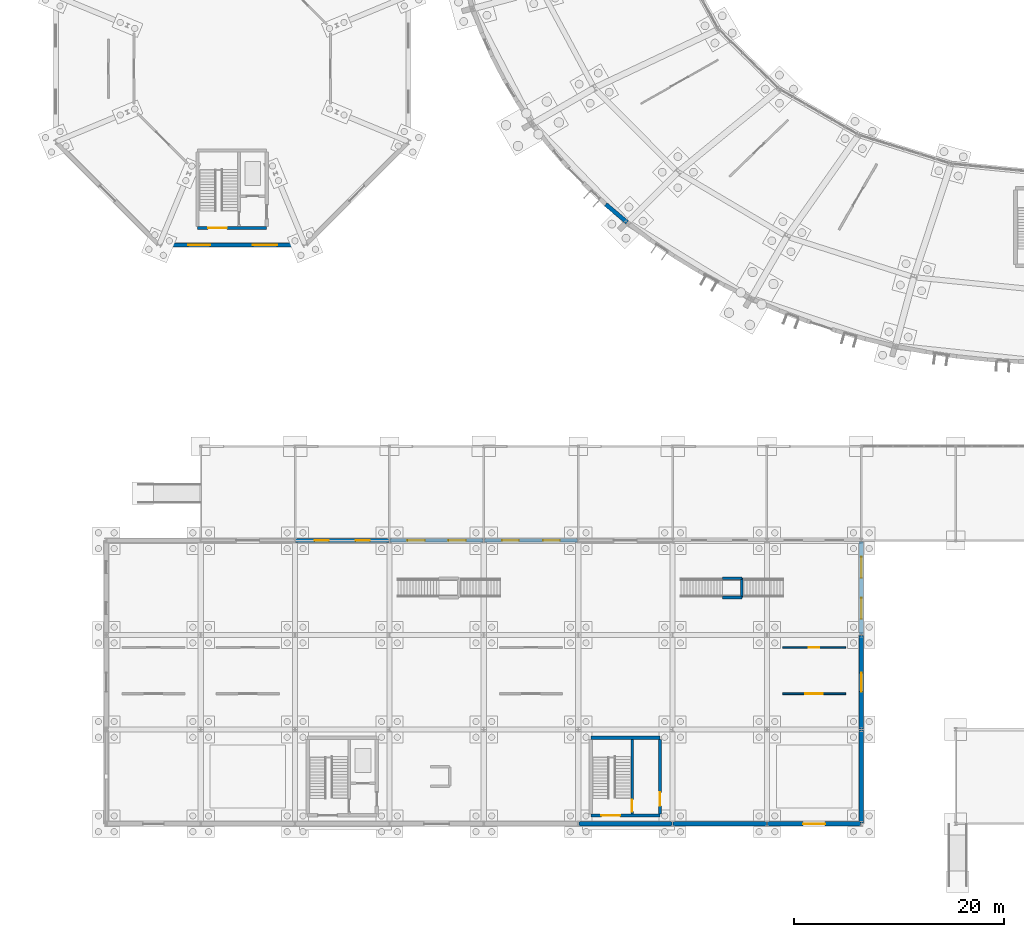
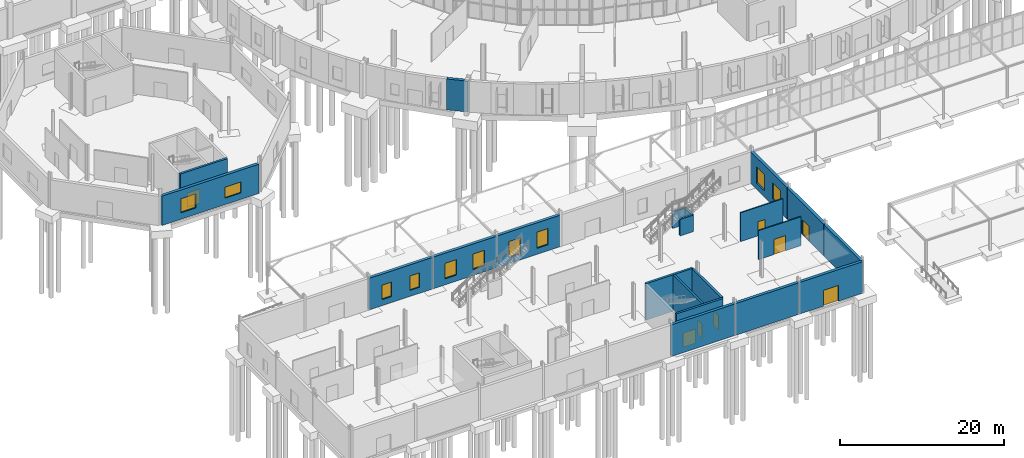
# One storey, part 83 of 118: 21 walls, 10 windows, 8 doors, 18 openings.
"""IFC4 building model written with IfcOpenShell, lengths in metres."""

from ifc_helpers import new_model, si_unit, direction, frame, frame_2d, origin, place, context, subcontext, project, spatial, rectangle, extrude, material, layer, layer_set, type_object, element, fill, save


model = new_model("IFC4")

# Units and contexts
model_context = context("Model", 3, precision=1e-05, world=origin(), true_north=direction((0.0, 1.0)))
body_context = subcontext(model_context, "Body", "Model", "MODEL_VIEW")
ifc_project = project(units=[si_unit("LENGTHUNIT", "METRE"), si_unit("AREAUNIT", "SQUARE_METRE"), si_unit("VOLUMEUNIT", "CUBIC_METRE"), si_unit("PLANEANGLEUNIT", "RADIAN"), si_unit("MASSUNIT", "GRAM", prefix="KILO")], contexts=[model_context])

# Site, building, storey
site_placement = place(None, origin())
site = spatial("IfcSite", under=ifc_project, at=site_placement, CompositionType="ELEMENT")
building_placement = place(site_placement, origin())
building = spatial("IfcBuilding", under=site, at=building_placement, Name="Kildeholm Park Wholesale Market", CompositionType="ELEMENT")
storey_placement = place(building_placement, origin())
storey = spatial("IfcBuildingStorey", under=building, at=storey_placement, Name="L00", CompositionType="ELEMENT", Elevation=0.0)

# Wall
ifc_material_1 = material(Name="Bornholm granite stone plinth and Concrete C35/45 wall", Category="masonry")
ifc_layer_1 = layer(ifc_material_1, 0.39990234375)
ifc_layer_set_1 = layer_set([ifc_layer_1], Name="Bornholm granite stone plinth and Concrete C35/45 wall")
wall_type_1 = type_object("IfcWallType", Name="Exterior wall W-EX2 400 mm", PredefinedType="SOLIDWALL", material=ifc_layer_set_1)
wall_1_placement = place(storey_placement, frame((56.6220703125, 59.071044921875, 0.0), z_axis=(0.0, 0.0, 1.0), x_axis=(0.76486611794, -0.644189274691, 0.0)))
element("IfcWall", 1, at=wall_1_placement, inside=storey, type_object=wall_type_1, Name="Produce ring outer wall 15.5 WL-0121", PredefinedType="SOLIDWALL", context=body_context, shape_type="SweptSolid", body=[
    extrude(rectangle(XDim=2.66845703125, YDim=0.39990234375, at=frame_2d((1.334228515625, 0.0))), origin(), (0.0, 0.0, 1.0), 4.60009765625),
])

# Wall, openings, windows
wall_2_placement = place(storey_placement, frame((14.175048828125, 55.18505859375, 0.0), z_axis=(0.0, 0.0, 1.0), x_axis=(1.0, 0.0, 0.0)))
wall_2 = element("IfcWall", 2, at=wall_2_placement, inside=storey, type_object=wall_type_1, Name="Auction pavilion facet wall 6 WL-0314", PredefinedType="SOLIDWALL", context=body_context, shape_type="SweptSolid", body=[
    extrude(rectangle(XDim=13.64990234375, YDim=0.39990234375, at=frame_2d((6.824951171875, 0.0))), origin(), (0.0, 0.0, 1.0), 4.35009765625),
])
opening_1_placement = place(wall_2_placement, frame((2.635009765625, 0.0, 0.949951171875)))
opening_1 = element("IfcOpeningElement", 3, at=opening_1_placement, cuts=wall_2, Name="Opening WN-03", PredefinedType="OPENING", context=body_context, shape_type="SweptSolid", body=[
    extrude(rectangle(XDim=2.10009765625, YDim=2.10009765625, at=frame_2d((1.050048828125, 1.050048828125))), frame((0.0, 0.2099609375, 0.0), z_axis=(0.0, -1.0, 0.0), x_axis=(1.0, 0.0, 0.0)), (0.0, 0.0, 1.0), 0.419921875),
])
opening_2_placement = place(wall_2_placement, frame((8.81396484375, 0.0, 0.949951171875)))
opening_2 = element("IfcOpeningElement", 4, at=opening_2_placement, cuts=wall_2, Name="Opening WN-23", PredefinedType="OPENING", context=body_context, shape_type="SweptSolid", body=[
    extrude(rectangle(XDim=2.300048828125, YDim=1.64990234375, at=frame_2d((1.14990234375, 0.824951171875))), frame((0.0, 0.2099609375, 0.0), z_axis=(0.0, -1.0, 0.0), x_axis=(1.0, 0.0, 0.0)), (0.0, 0.0, 1.0), 0.419921875),
])
ifc_material_2 = material(Name="Thermally broken aluminium and triple-glazed low-E glass", Category="aluminium")
window_type_1 = type_object("IfcWindowType", Name="Window WN-03 2100x2100", PartitioningType="TRIPLE_PANEL_VERTICAL", PredefinedType="WINDOW", material=ifc_material_2)
window_1_placement = place(opening_1_placement, origin())
window_1 = element("IfcWindow", 5, at=window_1_placement, inside=storey, type_object=window_type_1, Name="Auction facet window 6A WIN-0095", OverallHeight=2.10009765625, OverallWidth=2.10009765625, PartitioningType="SINGLE_PANEL", PredefinedType="WINDOW", context=body_context, shape_type="SweptSolid", body=[
    extrude(rectangle(XDim=2.10009765625, YDim=2.10009765625, at=frame_2d((1.050048828125, 1.050048828125))), frame((0.0, 0.030029296875, 0.0), z_axis=(0.0, -1.0, 0.0), x_axis=(1.0, 0.0, 0.0)), (0.0, 0.0, 1.0), 0.06005859375),
])
fill(opening_1, window_1)
window_type_2 = type_object("IfcWindowType", Name="Window WN-23 2300x1650", PartitioningType="TRIPLE_PANEL_VERTICAL", PredefinedType="WINDOW", material=ifc_material_2)
window_2_placement = place(opening_2_placement, origin())
window_2 = element("IfcWindow", 6, at=window_2_placement, inside=storey, type_object=window_type_2, Name="Auction facet window 6B WIN-0096", OverallHeight=1.64990234375, OverallWidth=2.300048828125, PartitioningType="SINGLE_PANEL", PredefinedType="WINDOW", context=body_context, shape_type="SweptSolid", body=[
    extrude(rectangle(XDim=2.300048828125, YDim=1.64990234375, at=frame_2d((1.14990234375, 0.824951171875))), frame((0.0, 0.030029296875, 0.0), z_axis=(0.0, -1.0, 0.0), x_axis=(1.0, 0.0, 0.0)), (0.0, 0.0, 1.0), 0.06005859375),
])
fill(opening_2, window_2)

# Walls
for number, where, z_axis, x_axis, name in (
    (7, (54.06005859375, 0.0, 0.0), (0.0, 0.0, 1.0), (1.0, 0.0, 0.0), "Exterior wall V5W-L00-S06.1 WL-0500"),
    (8, (63.06005859375, 0.0, 0.0), (0.0, 0.0, 1.0), (1.0, 0.0, 0.0), "Exterior wall V5W-L00-S07.1 WL-0501"),
):
    element("IfcWall", number, at=place(storey_placement, frame(where, z_axis=z_axis, x_axis=x_axis)), inside=storey, type_object=wall_type_1, Name=name, PredefinedType="SOLIDWALL", context=body_context, shape_type="SweptSolid", body=[
        extrude(rectangle(XDim=8.8798828125, YDim=0.39990234375, at=frame_2d((4.43994140625, 0.0))), origin(), (0.0, 0.0, 1.0), 4.699951171875),
    ])

# Wall, opening, door
wall_3_placement = place(storey_placement, frame((72.06005859375, 0.0, 0.0), z_axis=(0.0, 0.0, 1.0), x_axis=(1.0, 0.0, 0.0)))
wall_3 = element("IfcWall", 9, at=wall_3_placement, inside=storey, type_object=wall_type_1, Name="Exterior wall V5W-L00-S08.1 WL-0502", PredefinedType="SOLIDWALL", context=body_context, shape_type="SweptSolid", body=[
    extrude(rectangle(XDim=8.8798828125, YDim=0.39990234375, at=frame_2d((4.43994140625, 0.0))), origin(), (0.0, 0.0, 1.0), 4.699951171875),
])
opening_3_placement = place(wall_3_placement, frame((3.389892578125, 0.0, 0.0)))
opening_3 = element("IfcOpeningElement", 10, at=opening_3_placement, cuts=wall_3, Name="Opening D-EX10", PredefinedType="OPENING", context=body_context, shape_type="SweptSolid", body=[
    extrude(rectangle(XDim=2.10009765625, YDim=2.35009765625, at=frame_2d((1.050048828125, 1.175048828125))), frame((0.0, 0.2099609375, 0.0), z_axis=(0.0, -1.0, 0.0), x_axis=(1.0, 0.0, 0.0)), (0.0, 0.0, 1.0), 0.419921875),
])
ifc_material_3 = material(Name="Anodised aluminium park colonnade door", Category="aluminium")
door_type_1 = type_object("IfcDoorType", Name="Exterior door D-EX10 2100x2350", OperationType="NOTDEFINED", PredefinedType="DOOR", material=ifc_material_3)
door_1_placement = place(opening_3_placement, frame((2.10009765625, 0.0, 0.0), z_axis=(0.0, 0.0, 1.0), x_axis=(-1.0, 0.0, 0.0)))
door_1 = element("IfcDoor", 11, at=door_1_placement, inside=storey, type_object=door_type_1, Name="Door V5W-L00-S08.1 DR-0052 WL-0502", OperationType="DOUBLE_DOOR_SINGLE_SWING", OverallHeight=2.35009765625, OverallWidth=2.10009765625, PredefinedType="DOOR", context=body_context, shape_type="SweptSolid", body=[
    extrude(rectangle(XDim=2.10009765625, YDim=2.35009765625, at=frame_2d((1.050048828125, 1.175048828125))), frame((0.0, 0.02490234375, 0.0), z_axis=(0.0, -1.0, 0.0), x_axis=(1.0, 0.0, 0.0)), (0.0, 0.0, 1.0), 0.050048828125),
])
fill(opening_3, door_1)

# Wall, openings, windows
wall_4_placement = place(storey_placement, frame((27.06005859375, 27.0, 0.0), z_axis=(0.0, 0.0, 1.0), x_axis=(1.0, 0.0, 0.0)))
wall_4 = element("IfcWall", 12, at=wall_4_placement, inside=storey, type_object=wall_type_1, Name="Exterior wall V5W-L00-N.3 WL-0505", PredefinedType="SOLIDWALL", context=body_context, shape_type="SweptSolid", body=[
    extrude(rectangle(XDim=8.8798828125, YDim=0.39990234375, at=frame_2d((4.43994140625, 0.0))), origin(), (0.0, 0.0, 1.0), 4.699951171875),
])
opening_4_placement = place(wall_4_placement, frame((1.81103515625, 0.0, 0.89990234375)))
opening_4 = element("IfcOpeningElement", 13, at=opening_4_placement, cuts=wall_4, Name="Opening WN-33", PredefinedType="OPENING", context=body_context, shape_type="SweptSolid", body=[
    extrude(rectangle(XDim=1.35009765625, YDim=2.14990234375, at=frame_2d((0.675048828125, 1.074951171875))), frame((0.0, 0.2099609375, 0.0), z_axis=(0.0, -1.0, 0.0), x_axis=(1.0, 0.0, 0.0)), (0.0, 0.0, 1.0), 0.419921875),
])
opening_5_placement = place(wall_4_placement, frame((5.718994140625, 0.0, 0.89990234375)))
opening_5 = element("IfcOpeningElement", 14, at=opening_5_placement, cuts=wall_4, Name="Opening WN-33", PredefinedType="OPENING", context=body_context, shape_type="SweptSolid", body=[
    extrude(rectangle(XDim=1.35009765625, YDim=2.14990234375, at=frame_2d((0.675048828125, 1.074951171875))), frame((0.0, 0.2099609375, 0.0), z_axis=(0.0, -1.0, 0.0), x_axis=(1.0, 0.0, 0.0)), (0.0, 0.0, 1.0), 0.419921875),
])
window_type_3 = type_object("IfcWindowType", Name="Window WN-33 1350x2150", PartitioningType="DOUBLE_PANEL_VERTICAL", PredefinedType="WINDOW", material=ifc_material_2)
window_3_placement = place(opening_4_placement, origin())
window_3 = element("IfcWindow", 15, at=window_3_placement, inside=storey, type_object=window_type_3, Name="Window V5W-L00-N.3.1 WIN-0289", OverallHeight=2.14990234375, OverallWidth=1.35009765625, PartitioningType="SINGLE_PANEL", PredefinedType="WINDOW", context=body_context, shape_type="SweptSolid", body=[
    extrude(rectangle(XDim=1.35009765625, YDim=2.14990234375, at=frame_2d((0.675048828125, 1.074951171875))), frame((0.0, 0.030029296875, 0.0), z_axis=(0.0, -1.0, 0.0), x_axis=(1.0, 0.0, 0.0)), (0.0, 0.0, 1.0), 0.06005859375),
])
fill(opening_4, window_3)
window_4_placement = place(opening_5_placement, origin())
window_4 = element("IfcWindow", 16, at=window_4_placement, inside=storey, type_object=window_type_3, Name="Window V5W-L00-N.3.2 WIN-0290", OverallHeight=2.14990234375, OverallWidth=1.35009765625, PartitioningType="SINGLE_PANEL", PredefinedType="WINDOW", context=body_context, shape_type="SweptSolid", body=[
    extrude(rectangle(XDim=1.35009765625, YDim=2.14990234375, at=frame_2d((0.675048828125, 1.074951171875))), frame((0.0, 0.030029296875, 0.0), z_axis=(0.0, -1.0, 0.0), x_axis=(1.0, 0.0, 0.0)), (0.0, 0.0, 1.0), 0.06005859375),
])
fill(opening_5, window_4)

wall_5_placement = place(storey_placement, frame((36.06005859375, 27.0, 0.0), z_axis=(0.0, 0.0, 1.0), x_axis=(1.0, 0.0, 0.0)))
wall_5 = element("IfcWall", 17, at=wall_5_placement, inside=storey, type_object=wall_type_1, Name="Exterior wall V5W-L00-N.4 WL-0506", PredefinedType="SOLIDWALL", context=body_context, shape_type="SweptSolid", body=[
    extrude(rectangle(XDim=8.8798828125, YDim=0.39990234375, at=frame_2d((4.43994140625, 0.0))), origin(), (0.0, 0.0, 1.0), 4.699951171875),
])
opening_6_placement = place(wall_5_placement, frame((1.660888671875, 0.0, 0.89990234375)))
opening_6 = element("IfcOpeningElement", 18, at=opening_6_placement, cuts=wall_5, Name="Opening WN-34", PredefinedType="OPENING", context=body_context, shape_type="SweptSolid", body=[
    extrude(rectangle(XDim=1.64990234375, YDim=2.300048828125, at=frame_2d((0.824951171875, 1.14990234375))), frame((0.0, 0.2099609375, 0.0), z_axis=(0.0, -1.0, 0.0), x_axis=(1.0, 0.0, 0.0)), (0.0, 0.0, 1.0), 0.419921875),
])
opening_7_placement = place(wall_5_placement, frame((5.569091796875, 0.0, 0.89990234375)))
opening_7 = element("IfcOpeningElement", 19, at=opening_7_placement, cuts=wall_5, Name="Opening WN-34", PredefinedType="OPENING", context=body_context, shape_type="SweptSolid", body=[
    extrude(rectangle(XDim=1.64990234375, YDim=2.300048828125, at=frame_2d((0.824951171875, 1.14990234375))), frame((0.0, 0.2099609375, 0.0), z_axis=(0.0, -1.0, 0.0), x_axis=(1.0, 0.0, 0.0)), (0.0, 0.0, 1.0), 0.419921875),
])
window_type_4 = type_object("IfcWindowType", Name="Window WN-34 1650x2300", PartitioningType="DOUBLE_PANEL_VERTICAL", PredefinedType="WINDOW", material=ifc_material_2)
window_5_placement = place(opening_6_placement, origin())
window_5 = element("IfcWindow", 20, at=window_5_placement, inside=storey, type_object=window_type_4, Name="Window V5W-L00-N.4.1 WIN-0291", OverallHeight=2.300048828125, OverallWidth=1.64990234375, PartitioningType="SINGLE_PANEL", PredefinedType="WINDOW", context=body_context, shape_type="SweptSolid", body=[
    extrude(rectangle(XDim=1.64990234375, YDim=2.300048828125, at=frame_2d((0.824951171875, 1.14990234375))), frame((0.0, 0.030029296875, 0.0), z_axis=(0.0, -1.0, 0.0), x_axis=(1.0, 0.0, 0.0)), (0.0, 0.0, 1.0), 0.06005859375),
])
fill(opening_6, window_5)
window_6_placement = place(opening_7_placement, origin())
window_6 = element("IfcWindow", 21, at=window_6_placement, inside=storey, type_object=window_type_4, Name="Window V5W-L00-N.4.2 WIN-0292", OverallHeight=2.300048828125, OverallWidth=1.64990234375, PartitioningType="SINGLE_PANEL", PredefinedType="WINDOW", context=body_context, shape_type="SweptSolid", body=[
    extrude(rectangle(XDim=1.64990234375, YDim=2.300048828125, at=frame_2d((0.824951171875, 1.14990234375))), frame((0.0, 0.030029296875, 0.0), z_axis=(0.0, -1.0, 0.0), x_axis=(1.0, 0.0, 0.0)), (0.0, 0.0, 1.0), 0.06005859375),
])
fill(opening_7, window_6)

wall_6_placement = place(storey_placement, frame((45.06005859375, 27.0, 0.0), z_axis=(0.0, 0.0, 1.0), x_axis=(1.0, 0.0, 0.0)))
wall_6 = element("IfcWall", 22, at=wall_6_placement, inside=storey, type_object=wall_type_1, Name="Exterior wall V5W-L00-N.5 WL-0507", PredefinedType="SOLIDWALL", context=body_context, shape_type="SweptSolid", body=[
    extrude(rectangle(XDim=8.8798828125, YDim=0.39990234375, at=frame_2d((4.43994140625, 0.0))), origin(), (0.0, 0.0, 1.0), 4.699951171875),
])
opening_8_placement = place(wall_6_placement, frame((1.68603515625, 0.0, 0.89990234375)))
opening_8 = element("IfcOpeningElement", 23, at=opening_8_placement, cuts=wall_6, Name="Opening WN-15", PredefinedType="OPENING", context=body_context, shape_type="SweptSolid", body=[
    extrude(rectangle(XDim=1.60009765625, YDim=2.39990234375, at=frame_2d((0.800048828125, 1.199951171875))), frame((0.0, 0.2099609375, 0.0), z_axis=(0.0, -1.0, 0.0), x_axis=(1.0, 0.0, 0.0)), (0.0, 0.0, 1.0), 0.419921875),
])
opening_9_placement = place(wall_6_placement, frame((5.593994140625, 0.0, 0.89990234375)))
opening_9 = element("IfcOpeningElement", 24, at=opening_9_placement, cuts=wall_6, Name="Opening WN-15", PredefinedType="OPENING", context=body_context, shape_type="SweptSolid", body=[
    extrude(rectangle(XDim=1.60009765625, YDim=2.39990234375, at=frame_2d((0.800048828125, 1.199951171875))), frame((0.0, 0.2099609375, 0.0), z_axis=(0.0, -1.0, 0.0), x_axis=(1.0, 0.0, 0.0)), (0.0, 0.0, 1.0), 0.419921875),
])
window_type_5 = type_object("IfcWindowType", Name="Window WN-15 1600x2400", PartitioningType="DOUBLE_PANEL_VERTICAL", PredefinedType="WINDOW", material=ifc_material_2)
window_7_placement = place(opening_8_placement, origin())
window_7 = element("IfcWindow", 25, at=window_7_placement, inside=storey, type_object=window_type_5, Name="Window V5W-L00-N.5.1 WIN-0293", OverallHeight=2.39990234375, OverallWidth=1.60009765625, PartitioningType="SINGLE_PANEL", PredefinedType="WINDOW", context=body_context, shape_type="SweptSolid", body=[
    extrude(rectangle(XDim=1.60009765625, YDim=2.39990234375, at=frame_2d((0.800048828125, 1.199951171875))), frame((0.0, 0.030029296875, 0.0), z_axis=(0.0, -1.0, 0.0), x_axis=(1.0, 0.0, 0.0)), (0.0, 0.0, 1.0), 0.06005859375),
])
fill(opening_8, window_7)
window_8_placement = place(opening_9_placement, origin())
window_8 = element("IfcWindow", 26, at=window_8_placement, inside=storey, type_object=window_type_5, Name="Window V5W-L00-N.5.2 WIN-0294", OverallHeight=2.39990234375, OverallWidth=1.60009765625, PartitioningType="SINGLE_PANEL", PredefinedType="WINDOW", context=body_context, shape_type="SweptSolid", body=[
    extrude(rectangle(XDim=1.60009765625, YDim=2.39990234375, at=frame_2d((0.800048828125, 1.199951171875))), frame((0.0, 0.030029296875, 0.0), z_axis=(0.0, -1.0, 0.0), x_axis=(1.0, 0.0, 0.0)), (0.0, 0.0, 1.0), 0.06005859375),
])
fill(opening_9, window_8)

# Wall
wall_7_placement = place(storey_placement, frame((81.0, 0.06005859375, 0.0), z_axis=(0.0, 0.0, 1.0), x_axis=(0.0, 1.0, 0.0)))
element("IfcWall", 27, at=wall_7_placement, inside=storey, type_object=wall_type_1, Name="Exterior wall V5W-L00-E.1 WL-0514", PredefinedType="SOLIDWALL", context=body_context, shape_type="SweptSolid", body=[
    extrude(rectangle(XDim=8.8798828125, YDim=0.39990234375, at=frame_2d((4.43994140625, 0.0))), origin(), (0.0, 0.0, 1.0), 4.699951171875),
])

# Wall, opening, door
wall_8_placement = place(storey_placement, frame((81.0, 9.06005859375, 0.0), z_axis=(0.0, 0.0, 1.0), x_axis=(0.0, 1.0, 0.0)))
wall_8 = element("IfcWall", 28, at=wall_8_placement, inside=storey, type_object=wall_type_1, Name="Exterior wall V5W-L00-E.2 WL-0515", PredefinedType="SOLIDWALL", context=body_context, shape_type="SweptSolid", body=[
    extrude(rectangle(XDim=8.8798828125, YDim=0.39990234375, at=frame_2d((4.43994140625, 0.0))), origin(), (0.0, 0.0, 1.0), 4.699951171875),
])
opening_10_placement = place(wall_8_placement, frame((3.5400390625, 0.0, 0.0)))
opening_10 = element("IfcOpeningElement", 29, at=opening_10_placement, cuts=wall_8, Name="Opening D-EX01", PredefinedType="OPENING", context=body_context, shape_type="SweptSolid", body=[
    extrude(rectangle(XDim=1.800048828125, YDim=2.199951171875, at=frame_2d((0.89990234375, 1.10009765625))), frame((0.0, 0.2099609375, 0.0), z_axis=(0.0, -1.0, 0.0), x_axis=(1.0, 0.0, 0.0)), (0.0, 0.0, 1.0), 0.419921875),
])
ifc_material_4 = material(Name="Anodised aluminium and safety glass", Category="aluminium")
door_type_2 = type_object("IfcDoorType", Name="Exterior door D-EX01 1800x2200", OperationType="NOTDEFINED", PredefinedType="DOOR", material=ifc_material_4)
door_2_placement = place(opening_10_placement, frame((1.800048828125, 0.0, 0.0), z_axis=(0.0, 0.0, 1.0), x_axis=(-1.0, 0.0, 0.0)))
door_2 = element("IfcDoor", 30, at=door_2_placement, inside=storey, type_object=door_type_2, Name="Door V5W-L00-E.2 DR-0056 WL-0515", OperationType="DOUBLE_DOOR_SINGLE_SWING", OverallHeight=2.199951171875, OverallWidth=1.800048828125, PredefinedType="DOOR", context=body_context, shape_type="SweptSolid", body=[
    extrude(rectangle(XDim=1.800048828125, YDim=2.199951171875, at=frame_2d((0.89990234375, 1.10009765625))), frame((0.0, 0.02490234375, 0.0), z_axis=(0.0, -1.0, 0.0), x_axis=(1.0, 0.0, 0.0)), (0.0, 0.0, 1.0), 0.050048828125),
])
fill(opening_10, door_2)

# Wall, openings, windows
wall_9_placement = place(storey_placement, frame((81.0, 18.06005859375, 0.0), z_axis=(0.0, 0.0, 1.0), x_axis=(0.0, 1.0, 0.0)))
wall_9 = element("IfcWall", 31, at=wall_9_placement, inside=storey, type_object=wall_type_1, Name="Exterior wall V5W-L00-E.3 WL-0516", PredefinedType="SOLIDWALL", context=body_context, shape_type="SweptSolid", body=[
    extrude(rectangle(XDim=8.8798828125, YDim=0.39990234375, at=frame_2d((4.43994140625, 0.0))), origin(), (0.0, 0.0, 1.0), 4.699951171875),
])
opening_11_placement = place(wall_9_placement, frame((1.486083984375, 0.0, 0.89990234375)))
opening_11 = element("IfcOpeningElement", 32, at=opening_11_placement, cuts=wall_9, Name="Opening WN-16", PredefinedType="OPENING", context=body_context, shape_type="SweptSolid", body=[
    extrude(rectangle(XDim=2.0, YDim=2.39990234375, at=frame_2d((1.0, 1.199951171875))), frame((0.0, 0.2099609375, 0.0), z_axis=(0.0, -1.0, 0.0), x_axis=(1.0, 0.0, 0.0)), (0.0, 0.0, 1.0), 0.419921875),
])
opening_12_placement = place(wall_9_placement, frame((5.39404296875, 0.0, 0.89990234375)))
opening_12 = element("IfcOpeningElement", 33, at=opening_12_placement, cuts=wall_9, Name="Opening WN-16", PredefinedType="OPENING", context=body_context, shape_type="SweptSolid", body=[
    extrude(rectangle(XDim=2.0, YDim=2.39990234375, at=frame_2d((1.0, 1.199951171875))), frame((0.0, 0.2099609375, 0.0), z_axis=(0.0, -1.0, 0.0), x_axis=(1.0, 0.0, 0.0)), (0.0, 0.0, 1.0), 0.419921875),
])
window_type_6 = type_object("IfcWindowType", Name="Window WN-16 2000x2400", PartitioningType="TRIPLE_PANEL_VERTICAL", PredefinedType="WINDOW", material=ifc_material_2)
window_9_placement = place(opening_11_placement, origin())
window_9 = element("IfcWindow", 34, at=window_9_placement, inside=storey, type_object=window_type_6, Name="Window V5W-L00-E.3.1 WIN-0301", OverallHeight=2.39990234375, OverallWidth=2.0, PartitioningType="SINGLE_PANEL", PredefinedType="WINDOW", context=body_context, shape_type="SweptSolid", body=[
    extrude(rectangle(XDim=2.0, YDim=2.39990234375, at=frame_2d((1.0, 1.199951171875))), frame((0.0, 0.030029296875, 0.0), z_axis=(0.0, -1.0, 0.0), x_axis=(1.0, 0.0, 0.0)), (0.0, 0.0, 1.0), 0.06005859375),
])
fill(opening_11, window_9)
window_10_placement = place(opening_12_placement, origin())
window_10 = element("IfcWindow", 35, at=window_10_placement, inside=storey, type_object=window_type_6, Name="Window V5W-L00-E.3.2 WIN-0302", OverallHeight=2.39990234375, OverallWidth=2.0, PartitioningType="SINGLE_PANEL", PredefinedType="WINDOW", context=body_context, shape_type="SweptSolid", body=[
    extrude(rectangle(XDim=2.0, YDim=2.39990234375, at=frame_2d((1.0, 1.199951171875))), frame((0.0, 0.030029296875, 0.0), z_axis=(0.0, -1.0, 0.0), x_axis=(1.0, 0.0, 0.0)), (0.0, 0.0, 1.0), 0.06005859375),
])
fill(opening_12, window_10)

# Wall, opening, door
ifc_material_5 = material(Name="Double-board acoustic laboratory partition")
ifc_layer_2 = layer(ifc_material_5, 0.139892578125)
ifc_layer_set_2 = layer_set([ifc_layer_2], Name="Double-board acoustic laboratory partition")
wall_type_2 = type_object("IfcWallType", Name="Partition W-PT03 140 mm", PredefinedType="PARTITIONING", material=ifc_layer_set_2)
wall_10_placement = place(storey_placement, frame((73.5, 16.800048828125, 0.0), z_axis=(0.0, 0.0, 1.0), x_axis=(1.0, 0.0, 0.0)))
wall_10 = element("IfcWall", 36, at=wall_10_placement, inside=storey, type_object=wall_type_2, Name="Interior partition W-V5W-L00-CN8 WL-1008", PredefinedType="PARTITIONING", context=body_context, shape_type="SweptSolid", body=[
    extrude(rectangle(XDim=6.0, YDim=0.139892578125, at=frame_2d((3.0, 0.0))), origin(), (0.0, 0.0, 1.0), 4.300048828125),
])
opening_13_placement = place(wall_10_placement, frame((2.5, 0.0, 0.0)))
opening_13 = element("IfcOpeningElement", 37, at=opening_13_placement, cuts=wall_10, Name="Opening D-IN02", PredefinedType="OPENING", context=body_context, shape_type="SweptSolid", body=[
    extrude(rectangle(XDim=1.0, YDim=2.10009765625, at=frame_2d((0.5, 1.050048828125))), frame((0.0, 0.079833984375, 0.0), z_axis=(0.0, -1.0, 0.0), x_axis=(1.0, 0.0, 0.0)), (0.0, 0.0, 1.0), 0.159912109375),
])
ifc_material_6 = material(Name="Hygienic laminate accessible WC doorset")
door_type_3 = type_object("IfcDoorType", Name="Interior door D-IN02 1000x2100", OperationType="NOTDEFINED", PredefinedType="DOOR", material=ifc_material_6)
door_3_placement = place(opening_13_placement, origin())
door_3 = element("IfcDoor", 38, at=door_3_placement, inside=storey, type_object=door_type_3, Name="Interior door V5W-L00-CN8 DR-0283 WL-1008", OperationType="SINGLE_SWING_LEFT", OverallHeight=2.10009765625, OverallWidth=1.0, PredefinedType="DOOR", context=body_context, shape_type="SweptSolid", body=[
    extrude(rectangle(XDim=1.0, YDim=2.10009765625, at=frame_2d((0.5, 1.050048828125))), frame((0.0, 0.02490234375, 0.0), z_axis=(0.0, -1.0, 0.0), x_axis=(1.0, 0.0, 0.0)), (0.0, 0.0, 1.0), 0.050048828125),
])
fill(opening_13, door_3)

ifc_material_7 = material(Name="Fire-rated corridor and lobby partition")
ifc_layer_3 = layer(ifc_material_7, 0.14990234375)
ifc_layer_set_3 = layer_set([ifc_layer_3], Name="Fire-rated corridor and lobby partition")
wall_type_3 = type_object("IfcWallType", Name="Partition W-PT04 150 mm", PredefinedType="PARTITIONING", material=ifc_layer_set_3)
wall_11_placement = place(storey_placement, frame((73.5, 12.39990234375, 0.0), z_axis=(0.0, 0.0, 1.0), x_axis=(1.0, 0.0, 0.0)))
wall_11 = element("IfcWall", 39, at=wall_11_placement, inside=storey, type_object=wall_type_3, Name="Interior partition W-V5W-L00-CS8 WL-1007", PredefinedType="PARTITIONING", context=body_context, shape_type="SweptSolid", body=[
    extrude(rectangle(XDim=6.0, YDim=0.14990234375, at=frame_2d((3.0, 0.0))), origin(), (0.0, 0.0, 1.0), 4.300048828125),
])
opening_14_placement = place(wall_11_placement, frame((2.175048828125, 0.0, 0.0)))
opening_14 = element("IfcOpeningElement", 40, at=opening_14_placement, cuts=wall_11, Name="Opening D-IN06", PredefinedType="OPENING", context=body_context, shape_type="SweptSolid", body=[
    extrude(rectangle(XDim=1.64990234375, YDim=2.25, at=frame_2d((0.824951171875, 1.125))), frame((0.0, 0.0849609375, 0.0), z_axis=(0.0, -1.0, 0.0), x_axis=(1.0, 0.0, 0.0)), (0.0, 0.0, 1.0), 0.169921875),
])
ifc_material_8 = material(Name="Double-leaf auction and community hall doorset")
door_type_4 = type_object("IfcDoorType", Name="Interior door D-IN06 1650x2250", OperationType="NOTDEFINED", PredefinedType="DOOR", material=ifc_material_8)
door_4_placement = place(opening_14_placement, origin())
door_4 = element("IfcDoor", 41, at=door_4_placement, inside=storey, type_object=door_type_4, Name="Interior door V5W-L00-CS8 DR-0282 WL-1007", OperationType="DOUBLE_DOOR_SINGLE_SWING", OverallHeight=2.25, OverallWidth=1.64990234375, PredefinedType="DOOR", context=body_context, shape_type="SweptSolid", body=[
    extrude(rectangle(XDim=1.64990234375, YDim=2.25, at=frame_2d((0.824951171875, 1.125))), frame((0.0, 0.02490234375, 0.0), z_axis=(0.0, -1.0, 0.0), x_axis=(1.0, 0.0, 0.0)), (0.0, 0.0, 1.0), 0.050048828125),
])
fill(opening_14, door_4)

ifc_material_9 = material(Name="Concrete C40/50", Category="concrete")
ifc_layer_4 = layer(ifc_material_9, 0.300048828125)
ifc_layer_set_4 = layer_set([ifc_layer_4], Name="Concrete C40/50")
wall_type_4 = type_object("IfcWallType", Name="Shear wall W-SH1 300 mm", PredefinedType="SHEAR", material=ifc_layer_set_4)
wall_12_placement = place(storey_placement, frame((55.199951171875, 0.800048828125, 0.0), z_axis=(0.0, 0.0, 1.0), x_axis=(1.0, 0.0, 0.0)))
wall_12 = element("IfcWall", 42, at=wall_12_placement, inside=storey, type_object=wall_type_4, Name="Core C05 south shear wall L00 WL-0728", PredefinedType="SHEAR", context=body_context, shape_type="SweptSolid", body=[
    extrude(rectangle(XDim=6.60009765625, YDim=0.300048828125, at=frame_2d((3.300048828125, 0.0))), origin(), (0.0, 0.0, 1.0), 5.39990234375),
])
opening_15_placement = place(wall_12_placement, frame((1.0, 0.0, 0.0)))
opening_15 = element("IfcOpeningElement", 43, at=opening_15_placement, cuts=wall_12, Name="Opening D-EX05", PredefinedType="OPENING", context=body_context, shape_type="SweptSolid", body=[
    extrude(rectangle(XDim=1.800048828125, YDim=2.14990234375, at=frame_2d((0.89990234375, 1.074951171875))), frame((0.0, 0.159912109375, 0.0), z_axis=(0.0, -1.0, 0.0), x_axis=(1.0, 0.0, 0.0)), (0.0, 0.0, 1.0), 0.320068359375),
])
ifc_material_10 = material(Name="Painted galvanized steel escape doorset", Category="steel")
door_type_5 = type_object("IfcDoorType", Name="Exterior door D-EX05 1800x2150", OperationType="NOTDEFINED", PredefinedType="DOOR", material=ifc_material_10)
door_5_placement = place(opening_15_placement, frame((1.800048828125, 0.0, 0.0), z_axis=(0.0, 0.0, 1.0), x_axis=(-1.0, 0.0, 0.0)))
door_5 = element("IfcDoor", 44, at=door_5_placement, inside=storey, type_object=door_type_5, Name="Core C05 grade stair discharge door DR-0117 WL-0728", OperationType="DOUBLE_DOOR_SINGLE_SWING", OverallHeight=2.14990234375, OverallWidth=1.800048828125, PredefinedType="DOOR", context=body_context, shape_type="SweptSolid", body=[
    extrude(rectangle(XDim=1.800048828125, YDim=2.14990234375, at=frame_2d((0.89990234375, 1.074951171875))), frame((0.0, 0.02490234375, 0.0), z_axis=(0.0, -1.0, 0.0), x_axis=(1.0, 0.0, 0.0)), (0.0, 0.0, 1.0), 0.050048828125),
])
fill(opening_15, door_5)

# Wall
wall_13_placement = place(storey_placement, frame((55.199951171875, 8.199951171875, 0.0), z_axis=(0.0, 0.0, 1.0), x_axis=(1.0, 0.0, 0.0)))
element("IfcWall", 45, at=wall_13_placement, inside=storey, type_object=wall_type_4, Name="Core C05 north shear wall L00 WL-0729", PredefinedType="SHEAR", context=body_context, shape_type="SweptSolid", body=[
    extrude(rectangle(XDim=6.60009765625, YDim=0.300048828125, at=frame_2d((3.300048828125, 0.0))), origin(), (0.0, 0.0, 1.0), 5.39990234375),
])

# Wall, opening, door
wall_14_placement = place(storey_placement, frame((61.800048828125, 0.949951171875, 0.0), z_axis=(0.0, 0.0, 1.0), x_axis=(0.0, 1.0, 0.0)))
wall_14 = element("IfcWall", 46, at=wall_14_placement, inside=storey, type_object=wall_type_4, Name="Core C05 east shear wall L00 WL-0731", PredefinedType="SHEAR", context=body_context, shape_type="SweptSolid", body=[
    extrude(rectangle(XDim=7.10009765625, YDim=0.300048828125, at=frame_2d((3.550048828125, 0.0))), origin(), (0.0, 0.0, 1.0), 5.39990234375),
])
opening_16_placement = place(wall_14_placement, frame((0.75, 0.0, 0.0)))
opening_16 = element("IfcOpeningElement", 47, at=opening_16_placement, cuts=wall_14, Name="Opening D-CR02", PredefinedType="OPENING", context=body_context, shape_type="SweptSolid", body=[
    extrude(rectangle(XDim=1.300048828125, YDim=2.14990234375, at=frame_2d((0.64990234375, 1.074951171875))), frame((0.0, 0.159912109375, 0.0), z_axis=(0.0, -1.0, 0.0), x_axis=(1.0, 0.0, 0.0)), (0.0, 0.0, 1.0), 0.320068359375),
])
ifc_material_11 = material(Name="Painted steel core lobby double-leaf doorset", Category="steel")
door_type_6 = type_object("IfcDoorType", Name="Interior door D-CR02 1300x2150", OperationType="NOTDEFINED", PredefinedType="DOOR", material=ifc_material_11)
door_6_placement = place(opening_16_placement, frame((1.300048828125, 0.0, 0.0), z_axis=(0.0, 0.0, 1.0), x_axis=(-1.0, 0.0, 0.0)))
door_6 = element("IfcDoor", 48, at=door_6_placement, inside=storey, type_object=door_type_6, Name="Core C05 lobby entrance door L00 DR-0115 WL-0731", OperationType="DOUBLE_DOOR_SINGLE_SWING", OverallHeight=2.14990234375, OverallWidth=1.300048828125, PredefinedType="DOOR", context=body_context, shape_type="SweptSolid", body=[
    extrude(rectangle(XDim=1.300048828125, YDim=2.14990234375, at=frame_2d((0.64990234375, 1.074951171875))), frame((0.0, 0.02490234375, 0.0), z_axis=(0.0, -1.0, 0.0), x_axis=(1.0, 0.0, 0.0)), (0.0, 0.0, 1.0), 0.050048828125),
])
fill(opening_16, door_6)

wall_15_placement = place(storey_placement, frame((17.699951171875, 56.800048828125, 0.0), z_axis=(0.0, 0.0, 1.0), x_axis=(1.0, 0.0, 0.0)))
wall_15 = element("IfcWall", 49, at=wall_15_placement, inside=storey, type_object=wall_type_4, Name="Core C14 south shear wall L00 WL-0891", PredefinedType="SHEAR", context=body_context, shape_type="SweptSolid", body=[
    extrude(rectangle(XDim=6.60009765625, YDim=0.300048828125, at=frame_2d((3.300048828125, 0.0))), origin(), (0.0, 0.0, 1.0), 5.39990234375),
])
opening_17_placement = place(wall_15_placement, frame((1.0, 0.0, 0.0)))
opening_17 = element("IfcOpeningElement", 50, at=opening_17_placement, cuts=wall_15, Name="Opening D-EX05", PredefinedType="OPENING", context=body_context, shape_type="SweptSolid", body=[
    extrude(rectangle(XDim=1.800048828125, YDim=2.14990234375, at=frame_2d((0.89990234375, 1.074951171875))), frame((0.0, 0.159912109375, 0.0), z_axis=(0.0, -1.0, 0.0), x_axis=(1.0, 0.0, 0.0)), (0.0, 0.0, 1.0), 0.320068359375),
])
door_7_placement = place(opening_17_placement, frame((1.800048828125, 0.0, 0.0), z_axis=(0.0, 0.0, 1.0), x_axis=(-1.0, 0.0, 0.0)))
door_7 = element("IfcDoor", 51, at=door_7_placement, inside=storey, type_object=door_type_5, Name="Core C14 grade stair discharge door DR-0199 WL-0891", OperationType="DOUBLE_DOOR_SINGLE_SWING", OverallHeight=2.14990234375, OverallWidth=1.800048828125, PredefinedType="DOOR", context=body_context, shape_type="SweptSolid", body=[
    extrude(rectangle(XDim=1.800048828125, YDim=2.14990234375, at=frame_2d((0.89990234375, 1.074951171875))), frame((0.0, 0.02490234375, 0.0), z_axis=(0.0, -1.0, 0.0), x_axis=(1.0, 0.0, 0.0)), (0.0, 0.0, 1.0), 0.050048828125),
])
fill(opening_17, door_7)

ifc_layer_5 = layer(ifc_material_9, 0.25)
ifc_layer_set_5 = layer_set([ifc_layer_5], Name="Concrete C40/50")
wall_type_5 = type_object("IfcWallType", Name="Shear wall W-SH2 250 mm", PredefinedType="SHEAR", material=ifc_layer_set_5)
wall_16_placement = place(storey_placement, frame((59.14990234375, 0.949951171875, 0.0), z_axis=(0.0, 0.0, 1.0), x_axis=(0.0, 1.0, 0.0)))
wall_16 = element("IfcWall", 52, at=wall_16_placement, inside=storey, type_object=wall_type_5, Name="Core C05 shaft wall L00 WL-0732", PredefinedType="SHEAR", context=body_context, shape_type="SweptSolid", body=[
    extrude(rectangle(XDim=7.10009765625, YDim=0.25, at=frame_2d((3.550048828125, 0.0))), origin(), (0.0, 0.0, 1.0), 5.39990234375),
])
opening_18_placement = place(wall_16_placement, frame((0.199951171875, 0.0, 0.0)))
opening_18 = element("IfcOpeningElement", 53, at=opening_18_placement, cuts=wall_16, Name="Opening D-CR01", PredefinedType="OPENING", context=body_context, shape_type="SweptSolid", body=[
    extrude(rectangle(XDim=1.14990234375, YDim=2.14990234375, at=frame_2d((0.574951171875, 1.074951171875))), frame((0.0, 0.135009765625, 0.0), z_axis=(0.0, -1.0, 0.0), x_axis=(1.0, 0.0, 0.0)), (0.0, 0.0, 1.0), 0.27001953125),
])
ifc_material_12 = material(Name="Painted steel fire escape doorset", Category="steel")
door_type_7 = type_object("IfcDoorType", Name="Interior door D-CR01 1150x2150", OperationType="NOTDEFINED", PredefinedType="DOOR", material=ifc_material_12)
door_8_placement = place(opening_18_placement, origin())
door_8 = element("IfcDoor", 54, at=door_8_placement, inside=storey, type_object=door_type_7, Name="Core C05 stair fire door L00 DR-0116 WL-0732", OperationType="SINGLE_SWING_LEFT", OverallHeight=2.14990234375, OverallWidth=1.14990234375, PredefinedType="DOOR", context=body_context, shape_type="SweptSolid", body=[
    extrude(rectangle(XDim=1.14990234375, YDim=2.14990234375, at=frame_2d((0.574951171875, 1.074951171875))), frame((0.0, 0.02490234375, 0.0), z_axis=(0.0, -1.0, 0.0), x_axis=(1.0, 0.0, 0.0)), (0.0, 0.0, 1.0), 0.050048828125),
])
fill(opening_18, door_8)

# Walls
for number, where, z_axis, x_axis, name in (
    (55, (67.75, 21.580078125, 0.0), (0.0, 0.0, 1.0), (1.0, 0.0, 0.0), "Feature stair landing support wall ST-FT03-S WL-0919"),
    (56, (67.75, 23.419921875, 0.0), (0.0, 0.0, 1.0), (1.0, 0.0, 0.0), "Feature stair landing support wall ST-FT03-N WL-0920"),
):
    element("IfcWall", number, at=place(storey_placement, frame(where, z_axis=z_axis, x_axis=x_axis)), inside=storey, type_object=wall_type_5, Name=name, PredefinedType="SHEAR", context=body_context, shape_type="SweptSolid", body=[
        extrude(rectangle(XDim=1.85009765625, YDim=0.25, at=frame_2d((0.925048828125, 0.0))), origin(), (0.0, 0.0, 1.0), 2.4599609375),
    ])
wall_17_placement = place(storey_placement, frame((69.60009765625, 21.580078125, 0.0), z_axis=(0.0, 0.0, 1.0), x_axis=(0.0, 1.0, 0.0)))
element("IfcWall", 57, at=wall_17_placement, inside=storey, type_object=wall_type_5, Name="Feature stair landing cross wall ST-FT03 WL-0921", PredefinedType="SHEAR", context=body_context, shape_type="SweptSolid", body=[
    extrude(rectangle(XDim=1.83984375, YDim=0.25, at=frame_2d((0.919921875, 0.0))), origin(), (0.0, 0.0, 1.0), 2.4599609375),
])

save(model, "model.ifc")
